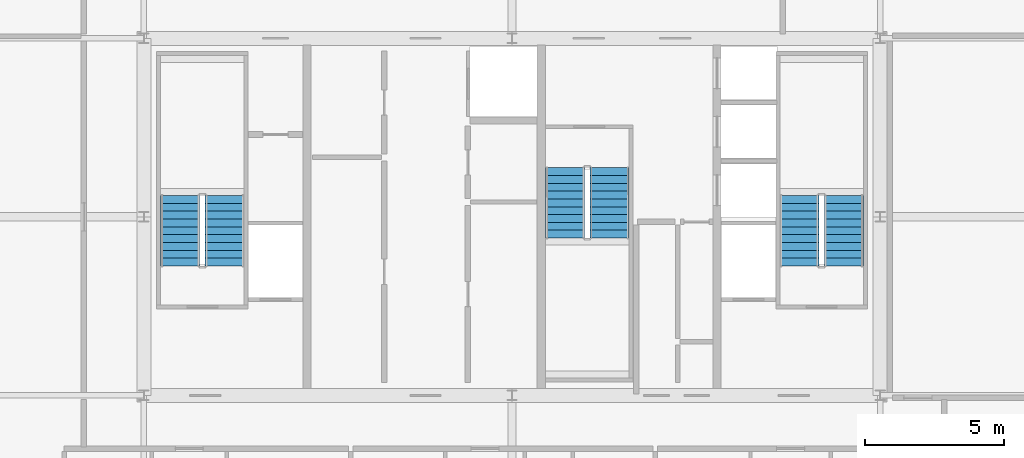
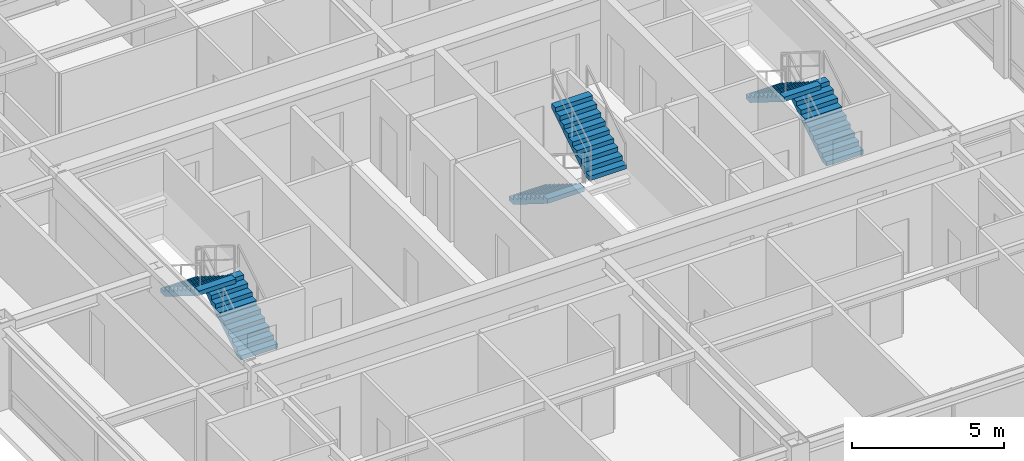
# One storey, part 34 of 35: 6 stair flights, 3 elements without a shape of their own.
"""IFC4 building model written with IfcOpenShell, lengths in metres."""

from ifc_helpers import new_model, si_unit, direction, frame, origin, place, context, subcontext, project, spatial, polyline, outline, extrude, source, transform, mapped, material, type_object, element, aggregate, save


model = new_model("IFC4")

# Units and contexts
model_context = context("Model", 3, precision=1e-05, world=origin(), true_north=direction((0.0, 1.0)))
body_context = subcontext(model_context, "Body", "Model", "MODEL_VIEW")
ifc_project = project(units=[si_unit("LENGTHUNIT", "METRE"), si_unit("AREAUNIT", "SQUARE_METRE"), si_unit("VOLUMEUNIT", "CUBIC_METRE"), si_unit("PLANEANGLEUNIT", "RADIAN"), si_unit("MASSUNIT", "GRAM", prefix="KILO"), si_unit("THERMODYNAMICTEMPERATUREUNIT", "KELVIN"), si_unit("POWERUNIT", "WATT")], contexts=[model_context])

# Site, building, storey
site_placement = place(None, origin())
site = spatial("IfcSite", under=ifc_project, at=site_placement, CompositionType="ELEMENT")
building_placement = place(site_placement, origin())
building = spatial("IfcBuilding", under=site, at=building_placement, Name="Yuzanri Waterfront Tower", CompositionType="ELEMENT")
storey_placement = place(building_placement, frame((0.0, 0.0, 318.199951171875)))
storey = spatial("IfcBuildingStorey", under=building, at=storey_placement, Name="L85", CompositionType="ELEMENT", Elevation=318.199951171875)

# Stair, stair flights
ifc_material_1 = material(Name="Concrete C40", Category="concrete")
stair_type = type_object("IfcStairType", Name="Concrete C40 Core Dogleg Exit Stair", PredefinedType="HALF_TURN_STAIR", material=ifc_material_1)
stair_1_placement = place(storey_placement, origin())
stair_1 = element("IfcStair", 1, at=stair_1_placement, inside=storey, type_object=stair_type, Name="L85 Smoke-Proof Core Stair ST-01", PredefinedType="HALF_TURN_STAIR")
ifc_material_2 = material(Name="Concrete C40", Category="concrete")
stair_flight_type = type_object("IfcStairFlightType", Name="Concrete C40 Precast Stair Flight 1380", PredefinedType="STRAIGHT", material=ifc_material_2)
shared_shape = source(origin(), body_context, "Body", "SweptSolid", [
    extrude(outline(polyline([(0.0, 0.0), (0.0, 0.175048828125), (0.280029296875, 0.175048828125), (0.280029296875, 0.35009765625), (0.56005859375, 0.35009765625), (0.56005859375, 0.52490234375), (0.840087890625, 0.52490234375), (0.840087890625, 0.699951171875), (1.1201171875, 0.699951171875), (1.1201171875, 0.875), (1.39990234375, 0.875), (1.39990234375, 1.050048828125), (1.679931640625, 1.050048828125), (1.679931640625, 1.22509765625), (1.9599609375, 1.22509765625), (1.9599609375, 1.39990234375), (2.239990234375, 1.39990234375), (2.239990234375, 1.574951171875), (2.52001953125, 1.574951171875), (2.52001953125, 1.75), (2.52001953125, 1.398193359375), (0.28271484375, 0.0), (0.0, 0.0)])), frame((0.0, 0.699951171875, 0.0), z_axis=(0.0, -1.0, 0.0), x_axis=(1.0, 0.0, 0.0)), (0.0, 0.0, 1.0), 1.39990234375),
])
stair_flight_1_placement = place(storey_placement, frame((26.699951171875, 24.0400390625, 0.0), z_axis=(0.0, 0.0, 1.0), x_axis=(0.0, 1.0, 0.0)))
stair_flight_1 = element("IfcStairFlight", 2, at=stair_flight_1_placement, type_object=stair_flight_type, Name="ST-01 flight 1", NumberOfRisers=10, NumberOfTreads=9, PredefinedType="STRAIGHT", RiserHeight=0.175, TreadLength=0.28, context=body_context, shape_type="MappedRepresentation", body=[
    mapped(shared_shape, transform((0.0, 0.0, 0.0), scale=1.0)),
])
stair_flight_2_placement = place(storey_placement, frame((25.10009765625, 26.56005859375, 1.75), z_axis=(0.0, 0.0, 1.0), x_axis=(0.0, -1.0, 0.0)))
stair_flight_2 = element("IfcStairFlight", 3, at=stair_flight_2_placement, type_object=stair_flight_type, Name="ST-01 flight 2", NumberOfRisers=10, NumberOfTreads=9, PredefinedType="STRAIGHT", RiserHeight=0.175, TreadLength=0.28, context=body_context, shape_type="MappedRepresentation", body=[
    mapped(shared_shape, transform((0.0, 0.0, 0.0), scale=1.0)),
])
aggregate(stair_1, [stair_flight_1, stair_flight_2])

stair_2_placement = place(storey_placement, origin())
stair_2 = element("IfcStair", 4, at=stair_2_placement, inside=storey, type_object=stair_type, Name="L85 Smoke-Proof Core Stair ST-02", PredefinedType="HALF_TURN_STAIR")
stair_flight_3_placement = place(storey_placement, frame((48.89990234375, 24.0400390625, 0.0), z_axis=(0.0, 0.0, 1.0), x_axis=(0.0, 1.0, 0.0)))
stair_flight_3 = element("IfcStairFlight", 5, at=stair_flight_3_placement, type_object=stair_flight_type, Name="ST-02 flight 1", NumberOfRisers=10, NumberOfTreads=9, PredefinedType="STRAIGHT", RiserHeight=0.175, TreadLength=0.28, context=body_context, shape_type="MappedRepresentation", body=[
    mapped(shared_shape, transform((0.0, 0.0, 0.0), scale=1.0)),
])
stair_flight_4_placement = place(storey_placement, frame((47.300048828125, 26.56005859375, 1.75), z_axis=(0.0, 0.0, 1.0), x_axis=(0.0, -1.0, 0.0)))
stair_flight_4 = element("IfcStairFlight", 6, at=stair_flight_4_placement, type_object=stair_flight_type, Name="ST-02 flight 2", NumberOfRisers=10, NumberOfTreads=9, PredefinedType="STRAIGHT", RiserHeight=0.175, TreadLength=0.28, context=body_context, shape_type="MappedRepresentation", body=[
    mapped(shared_shape, transform((0.0, 0.0, 0.0), scale=1.0)),
])
aggregate(stair_2, [stair_flight_3, stair_flight_4])

stair_3_placement = place(storey_placement, origin())
stair_3 = element("IfcStair", 7, at=stair_3_placement, inside=storey, type_object=stair_type, Name="L85 Smoke-Proof Core Stair ST-03", PredefinedType="HALF_TURN_STAIR")
stair_flight_5_placement = place(storey_placement, frame((38.89990234375, 27.56005859375, 0.0), z_axis=(0.0, 0.0, 1.0), x_axis=(0.0, -1.0, 0.0)))
stair_flight_5 = element("IfcStairFlight", 8, at=stair_flight_5_placement, type_object=stair_flight_type, Name="ST-03 flight 1", NumberOfRisers=10, NumberOfTreads=9, PredefinedType="STRAIGHT", RiserHeight=0.175, TreadLength=0.28, context=body_context, shape_type="MappedRepresentation", body=[
    mapped(shared_shape, transform((0.0, 0.0, 0.0), scale=1.0)),
])
stair_flight_6_placement = place(storey_placement, frame((40.5, 25.0400390625, 1.75), z_axis=(0.0, 0.0, 1.0), x_axis=(0.0, 1.0, 0.0)))
stair_flight_6 = element("IfcStairFlight", 9, at=stair_flight_6_placement, type_object=stair_flight_type, Name="ST-03 flight 2", NumberOfRisers=10, NumberOfTreads=9, PredefinedType="STRAIGHT", RiserHeight=0.175, TreadLength=0.28, context=body_context, shape_type="MappedRepresentation", body=[
    mapped(shared_shape, transform((0.0, 0.0, 0.0), scale=1.0)),
])
aggregate(stair_3, [stair_flight_5, stair_flight_6])

save(model, "model.ifc")
